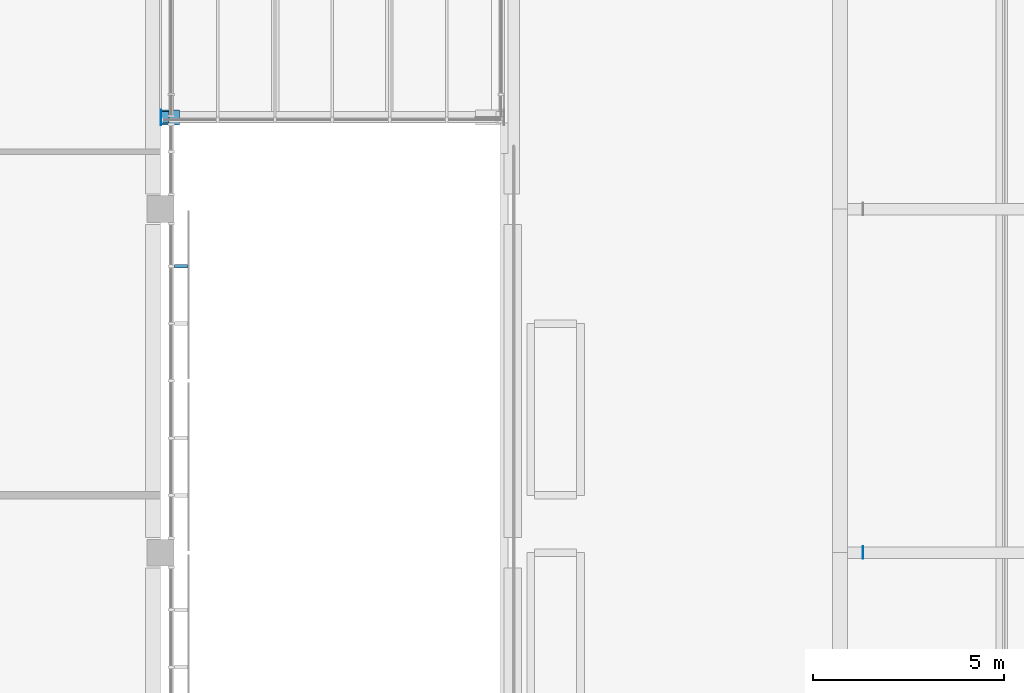
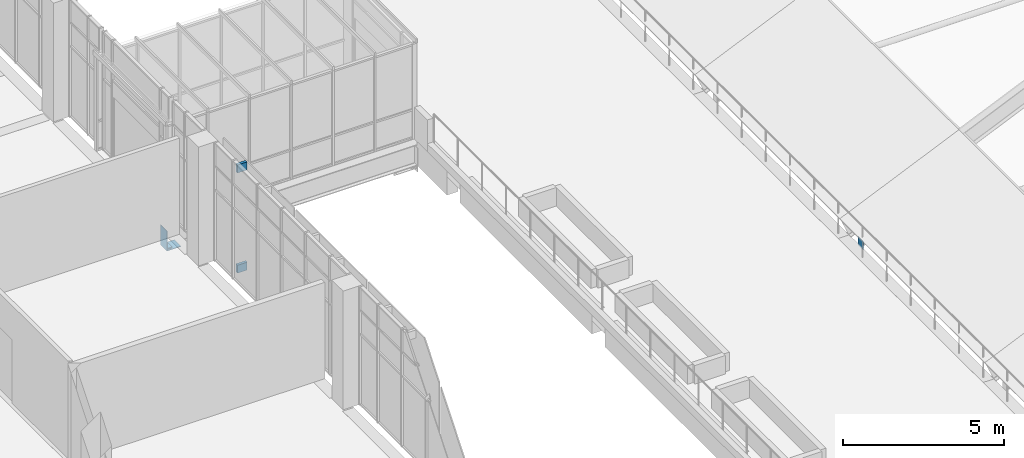
# One storey, part 89 of 106: 6 discrete accessories.
"""IFC4 building model written with IfcOpenShell, lengths in metres."""

from ifc_helpers import new_model, si_unit, direction, frame, origin, origin_2d, place, context, subcontext, project, spatial, rectangle, extrude, material, layer, layer_set, material_profile, profile_set, type_object, element, save


model = new_model("IFC4")

# Units and contexts
model_context = context("Model", 3, precision=1e-05, world=origin(), true_north=direction((0.0, 1.0)))
body_context = subcontext(model_context, "Body", "Model", "MODEL_VIEW")
ifc_project = project(units=[si_unit("LENGTHUNIT", "METRE"), si_unit("AREAUNIT", "SQUARE_METRE"), si_unit("VOLUMEUNIT", "CUBIC_METRE"), si_unit("PLANEANGLEUNIT", "RADIAN"), si_unit("MASSUNIT", "GRAM", prefix="KILO")], contexts=[model_context])

# Site, building, storey
site_placement = place(None, origin())
site = spatial("IfcSite", under=ifc_project, at=site_placement, CompositionType="ELEMENT")
building_placement = place(site_placement, origin())
building = spatial("IfcBuilding", under=site, at=building_placement, Name="Guidao Yard Department Store", CompositionType="ELEMENT")
storey_placement = place(building_placement, frame((0.0, 0.0, 10.5)))
storey = spatial("IfcBuildingStorey", under=building, at=storey_placement, Name="L02", CompositionType="ELEMENT", Elevation=10.5)

# Discrete accessories
ifc_material_1 = material(Name="Steel Q355B", Category="steel")
discrete_accessory_type_1 = type_object("IfcDiscreteAccessoryType", Name="Bracket BR2 steel plate", PredefinedType="BRACKET", material=ifc_material_1)
for number, where, z_axis, x_axis, name in (
    (1, (108.534912109375, 79.5, 0.2001953125), (0.0, 0.0, 1.0), (0.0, -1.0, 0.0), "Screen bracket"),
    (2, (108.534912109375, 79.5, 4.0), (0.0, 0.0, 1.0), (0.0, -1.0, 0.0), "Screen bracket"),
):
    element("IfcDiscreteAccessory", number, at=place(storey_placement, frame(where, z_axis=z_axis, x_axis=x_axis)), inside=storey, type_object=discrete_accessory_type_1, Name=name, PredefinedType="BRACKET", context=body_context, shape_type="SweptSolid", body=[
        extrude(rectangle(XDim=0.10009765625, YDim=0.35009765625, at=origin_2d()), origin(), (0.0, 0.0, 1.0), 0.300048828125),
    ])
ifc_material_2 = material(Name="Steel Q355B", Category="steel")
ifc_layer_1 = layer(ifc_material_2, 0.014892578125)
ifc_layer_set_1 = layer_set([ifc_layer_1], Name="Bridge girder back plate SB1 steel")
discrete_accessory_type_2 = type_object("IfcDiscreteAccessoryType", Name="Bridge girder back plate SB1 steel", PredefinedType="BRACKET", material=ifc_layer_set_1)
discrete_accessory_1_placement = place(storey_placement, frame((108.007568359375, 83.39990234375, -1.10986328125), z_axis=(0.0, 0.0, 1.0), x_axis=(1.0, 0.0, 0.0)))
element("IfcDiscreteAccessory", 3, at=discrete_accessory_1_placement, inside=storey, type_object=discrete_accessory_type_2, Name="Bridge girder back plate BR08S F", PredefinedType="BRACKET", context=body_context, shape_type="SweptSolid", body=[
    extrude(rectangle(XDim=0.014892578125, YDim=0.39990234375, at=origin_2d()), origin(), (0.0, 0.0, 1.0), 0.760009765625),
])
ifc_material_3 = material(Name="Steel Q355B", Category="steel")
ifc_layer_2 = layer(ifc_material_3, 0.0400390625)
ifc_layer_set_2 = layer_set([ifc_layer_2], Name="Bridge girder pinned bearing BP1 steel")
discrete_accessory_type_3 = type_object("IfcDiscreteAccessoryType", Name="Bridge girder pinned bearing BP1 steel", PredefinedType="SHOE", material=ifc_layer_set_2)
discrete_accessory_2_placement = place(storey_placement, frame((108.114990234375, 83.39990234375, -1.090087890625), z_axis=(0.0, 0.0, 1.0), x_axis=(1.0, 0.0, 0.0)))
element("IfcDiscreteAccessory", 4, at=discrete_accessory_2_placement, inside=storey, type_object=discrete_accessory_type_3, Name="Bridge girder pinned bearing BR08S", PredefinedType="SHOE", context=body_context, shape_type="SweptSolid", body=[
    extrude(rectangle(XDim=0.199951171875, YDim=0.300048828125, at=origin_2d()), origin(), (0.0, 0.0, 1.0), 0.0400390625),
])
ifc_material_4 = material(Name="Steel Q355B", Category="steel")
ifc_layer_3 = layer(ifc_material_4, 0.02001953125)
ifc_layer_set_3 = layer_set([ifc_layer_3], Name="Bridge girder seat plate SP1 steel 500")
discrete_accessory_type_4 = type_object("IfcDiscreteAccessoryType", Name="Bridge girder seat plate SP1 steel 500", PredefinedType="BRACKET", material=ifc_layer_set_3)
discrete_accessory_3_placement = place(storey_placement, frame((108.257568359375, 83.39990234375, -1.110107421875), z_axis=(0.0, 0.0, 1.0), x_axis=(1.0, 0.0, 0.0)))
element("IfcDiscreteAccessory", 5, at=discrete_accessory_3_placement, inside=storey, type_object=discrete_accessory_type_4, Name="Bridge girder seat plate BR08S F", PredefinedType="BRACKET", context=body_context, shape_type="SweptSolid", body=[
    extrude(rectangle(XDim=0.485107421875, YDim=0.39990234375, at=origin_2d()), origin(), (0.0, 0.0, 1.0), 0.02001953125),
])
ifc_material_5 = material(Name="Steel Q355B", Category="steel")
ifc_material_profile = material_profile(ifc_material_5, rectangle(XDim=0.327880859375, YDim=0.011962890625, at=origin_2d()), Name="Node plate 328x12")
ifc_profile_set = profile_set([ifc_material_profile], Name="Steel Q355B")
discrete_accessory_type_5 = type_object("IfcDiscreteAccessoryType", Name="Tie end plate NP3 328 steel", PredefinedType="BRACKET", material=ifc_profile_set)
discrete_accessory_4_placement = place(storey_placement, frame((126.406005859375, 71.8359375, -0.449951171875), z_axis=(0.0, 1.0, 0.0), x_axis=(0.0, 0.0, 1.0)))
element("IfcDiscreteAccessory", 6, at=discrete_accessory_4_placement, inside=storey, type_object=discrete_accessory_type_5, Name="Tie end plate F03L", PredefinedType="BRACKET", context=body_context, shape_type="SweptSolid", body=[
    extrude(rectangle(XDim=0.327880859375, YDim=0.011962890625, at=origin_2d()), origin(), (0.0, 0.0, 1.0), 0.328125),
])

save(model, "model.ifc")
